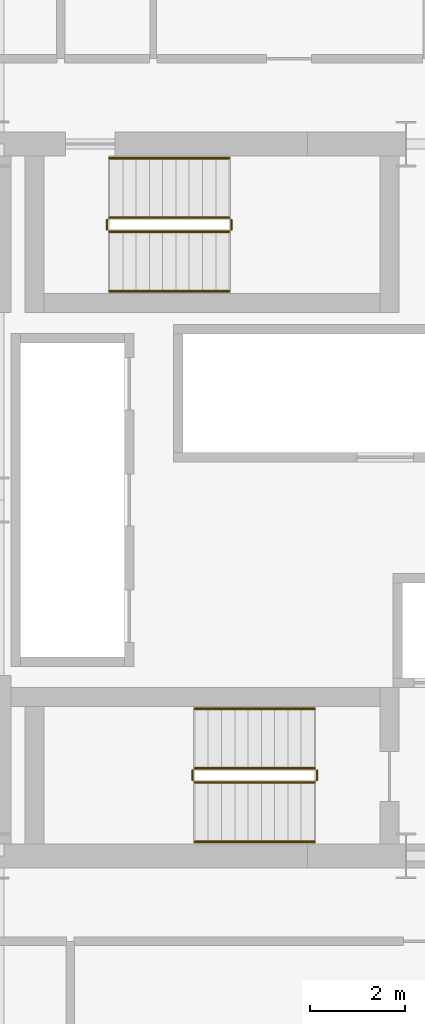
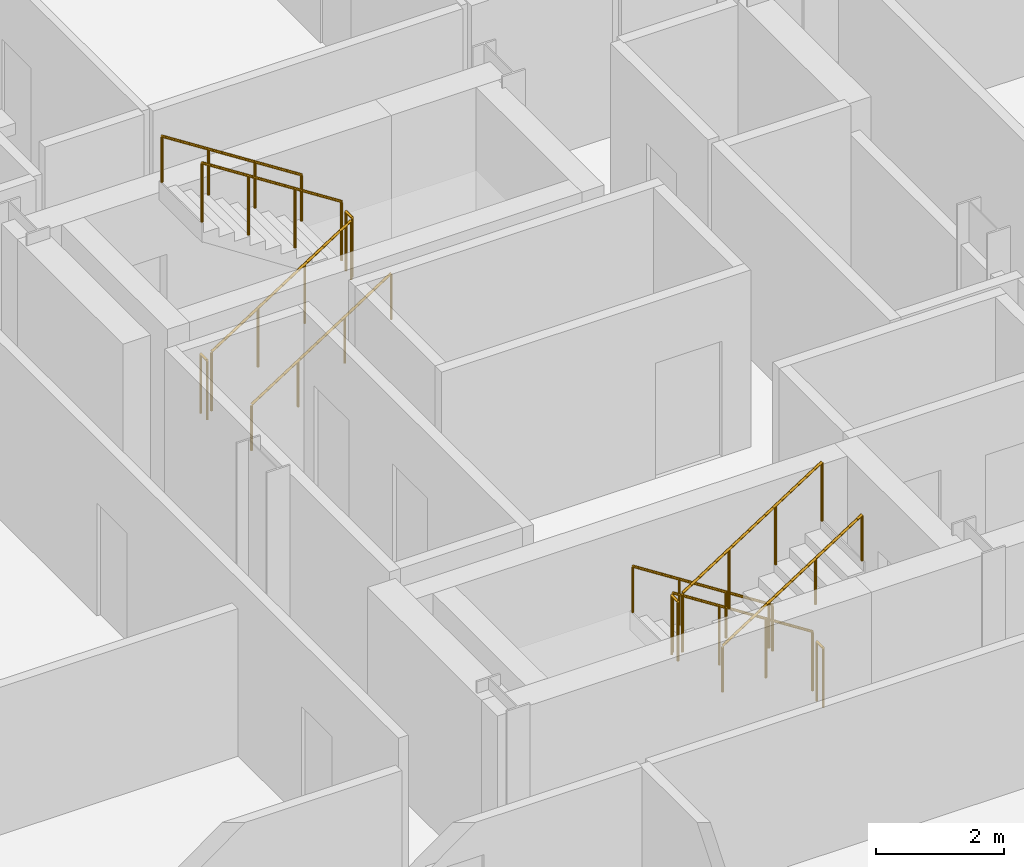
# One storey, part 18 of 19: 12 railings.
"""IFC4 building model written with IfcOpenShell, lengths in metres."""

from ifc_helpers import new_model, si_unit, direction, frame, origin, origin_2d, place, context, subcontext, project, spatial, circle, extrude, material, type_object, element, save


model = new_model("IFC4")

# Units and contexts
model_context = context("Model", 3, precision=1e-05, world=origin(), true_north=direction((0.0, 1.0)))
body_context = subcontext(model_context, "Body", "Model", "MODEL_VIEW")
ifc_project = project(units=[si_unit("LENGTHUNIT", "METRE"), si_unit("AREAUNIT", "SQUARE_METRE"), si_unit("VOLUMEUNIT", "CUBIC_METRE"), si_unit("PLANEANGLEUNIT", "RADIAN"), si_unit("MASSUNIT", "GRAM", prefix="KILO")], contexts=[model_context])

# Site, building, storey
site_placement = place(None, origin())
site = spatial("IfcSite", under=ifc_project, at=site_placement, CompositionType="ELEMENT")
building_placement = place(site_placement, origin())
building = spatial("IfcBuilding", under=site, at=building_placement, Name="Barlavira Tower and Art Museum", CompositionType="ELEMENT")
storey_placement = place(building_placement, frame((0.0, 0.0, 113.39990234375)))
storey = spatial("IfcBuildingStorey", under=building, at=storey_placement, Name="L28", CompositionType="ELEMENT", Elevation=113.39990234375)

# Railings
ifc_material = material(Name="Brushed stainless steel", Category="steel")
railing_type_1 = type_object("IfcRailingType", Name="Interior Void and Landing Guard Railing 1150", PredefinedType="GUARDRAIL", material=ifc_material)
railing_1_placement = place(storey_placement, frame((0.14990234375, -5.64990234375, 0.18017578125)))
element("IfcRailing", 1, at=railing_1_placement, inside=storey, type_object=railing_type_1, Name="L28 ST-T1 stair guard 1", PredefinedType="GUARDRAIL", context=body_context, shape_type="SweptSolid", body=[
    extrude(circle(Radius=0.02392578125, at=origin_2d()), frame((0.0, 0.0, 1.1259765625), z_axis=(-0.841199657755, 0.0, 0.540724639528), x_axis=(0.0, -1.0, 0.0)), (0.0, 0.0, 1.0), 2.995849609375),
    extrude(circle(Radius=0.02099609375, at=origin_2d()), origin(), (0.0, 0.0, 1.0), 1.101806640625),
    extrude(circle(Radius=0.02099609375, at=origin_2d()), frame((-0.840087890625, 0.0, 0.5400390625)), (0.0, 0.0, 1.0), 1.101806640625),
    extrude(circle(Radius=0.02099609375, at=origin_2d()), frame((-1.679931640625, 0.0, 1.079833984375)), (0.0, 0.0, 1.0), 1.101806640625),
    extrude(circle(Radius=0.02099609375, at=origin_2d()), frame((-2.52001953125, 0.0, 1.619873046875)), (0.0, 0.0, 1.0), 1.101806640625),
])
railing_2_placement = place(storey_placement, frame((-2.419921875, -5.699951171875, 1.800048828125)))
element("IfcRailing", 2, at=railing_2_placement, inside=storey, type_object=railing_type_1, Name="L28 ST-T1 stair guard 2", PredefinedType="GUARDRAIL", context=body_context, shape_type="SweptSolid", body=[
    extrude(circle(Radius=0.02392578125, at=origin_2d()), frame((0.0, 0.0, 1.1259765625), z_axis=(0.0, -1.0, 0.0), x_axis=(1.0, 0.0, 0.0)), (0.0, 0.0, 1.0), 0.199951171875),
    extrude(circle(Radius=0.02099609375, at=origin_2d()), origin(), (0.0, 0.0, 1.0), 1.101806640625),
    extrude(circle(Radius=0.02099609375, at=origin_2d()), frame((0.0, -0.199951171875, 0.0)), (0.0, 0.0, 1.0), 1.101806640625),
])
railing_3_placement = place(storey_placement, frame((-2.3701171875, -5.949951171875, 1.97998046875)))
element("IfcRailing", 3, at=railing_3_placement, inside=storey, type_object=railing_type_1, Name="L28 ST-T1 stair guard 3", PredefinedType="GUARDRAIL", context=body_context, shape_type="SweptSolid", body=[
    extrude(circle(Radius=0.02392578125, at=origin_2d()), frame((0.0, 0.0, 1.1259765625), z_axis=(0.841162588446, 0.0, 0.540782303519), x_axis=(0.0, 1.0, 0.0)), (0.0, 0.0, 1.0), 2.995849609375),
    extrude(circle(Radius=0.02099609375, at=origin_2d()), origin(), (0.0, 0.0, 1.0), 1.101806640625),
    extrude(circle(Radius=0.02099609375, at=origin_2d()), frame((0.840087890625, 0.0, 0.5400390625)), (0.0, 0.0, 1.0), 1.101806640625),
    extrude(circle(Radius=0.02099609375, at=origin_2d()), frame((1.679931640625, 0.0, 1.080078125)), (0.0, 0.0, 1.0), 1.101806640625),
    extrude(circle(Radius=0.02099609375, at=origin_2d()), frame((2.52001953125, 0.0, 1.6201171875)), (0.0, 0.0, 1.0), 1.101806640625),
])
railing_4_placement = place(storey_placement, frame((0.199951171875, -5.699951171875, 0.0)))
element("IfcRailing", 4, at=railing_4_placement, inside=storey, type_object=railing_type_1, Name="L28 ST-T1 stair guard 4", PredefinedType="GUARDRAIL", context=body_context, shape_type="SweptSolid", body=[
    extrude(circle(Radius=0.02392578125, at=origin_2d()), frame((0.0, 0.0, 1.1259765625), z_axis=(0.0, -1.0, 0.0), x_axis=(1.0, 0.0, 0.0)), (0.0, 0.0, 1.0), 0.199951171875),
    extrude(circle(Radius=0.02099609375, at=origin_2d()), origin(), (0.0, 0.0, 1.0), 1.101806640625),
    extrude(circle(Radius=0.02099609375, at=origin_2d()), frame((0.0, -0.199951171875, 0.0)), (0.0, 0.0, 1.0), 1.101806640625),
])
railing_5_placement = place(storey_placement, frame((-4.169921875, 5.64990234375, 0.18017578125)))
element("IfcRailing", 5, at=railing_5_placement, inside=storey, type_object=railing_type_1, Name="L28 ST-T2 stair guard 1", PredefinedType="GUARDRAIL", context=body_context, shape_type="SweptSolid", body=[
    extrude(circle(Radius=0.02392578125, at=origin_2d()), frame((0.0, 0.0, 1.1259765625), z_axis=(0.841199657755, 0.0, 0.540724639528), x_axis=(0.0, 1.0, 0.0)), (0.0, 0.0, 1.0), 2.995849609375),
    extrude(circle(Radius=0.02099609375, at=origin_2d()), origin(), (0.0, 0.0, 1.0), 1.101806640625),
    extrude(circle(Radius=0.02099609375, at=origin_2d()), frame((0.840087890625, 0.0, 0.5400390625)), (0.0, 0.0, 1.0), 1.101806640625),
    extrude(circle(Radius=0.02099609375, at=origin_2d()), frame((1.679931640625, 0.0, 1.079833984375)), (0.0, 0.0, 1.0), 1.101806640625),
    extrude(circle(Radius=0.02099609375, at=origin_2d()), frame((2.52001953125, 0.0, 1.619873046875)), (0.0, 0.0, 1.0), 1.101806640625),
])
railing_6_placement = place(storey_placement, frame((-1.60009765625, 5.699951171875, 1.800048828125)))
element("IfcRailing", 6, at=railing_6_placement, inside=storey, type_object=railing_type_1, Name="L28 ST-T2 stair guard 2", PredefinedType="GUARDRAIL", context=body_context, shape_type="SweptSolid", body=[
    extrude(circle(Radius=0.02392578125, at=origin_2d()), frame((0.0, 0.0, 1.1259765625), z_axis=(0.0, 1.0, 0.0), x_axis=(-1.0, 0.0, 0.0)), (0.0, 0.0, 1.0), 0.199951171875),
    extrude(circle(Radius=0.02099609375, at=origin_2d()), origin(), (0.0, 0.0, 1.0), 1.101806640625),
    extrude(circle(Radius=0.02099609375, at=origin_2d()), frame((0.0, 0.199951171875, 0.0)), (0.0, 0.0, 1.0), 1.101806640625),
])
railing_7_placement = place(storey_placement, frame((-1.64990234375, 5.949951171875, 1.97998046875)))
element("IfcRailing", 7, at=railing_7_placement, inside=storey, type_object=railing_type_1, Name="L28 ST-T2 stair guard 3", PredefinedType="GUARDRAIL", context=body_context, shape_type="SweptSolid", body=[
    extrude(circle(Radius=0.02392578125, at=origin_2d()), frame((0.0, 0.0, 1.1259765625), z_axis=(-0.841162588446, 0.0, 0.540782303519), x_axis=(0.0, -1.0, 0.0)), (0.0, 0.0, 1.0), 2.995849609375),
    extrude(circle(Radius=0.02099609375, at=origin_2d()), origin(), (0.0, 0.0, 1.0), 1.101806640625),
    extrude(circle(Radius=0.02099609375, at=origin_2d()), frame((-0.840087890625, 0.0, 0.5400390625)), (0.0, 0.0, 1.0), 1.101806640625),
    extrude(circle(Radius=0.02099609375, at=origin_2d()), frame((-1.679931640625, 0.0, 1.080078125)), (0.0, 0.0, 1.0), 1.101806640625),
    extrude(circle(Radius=0.02099609375, at=origin_2d()), frame((-2.52001953125, 0.0, 1.6201171875)), (0.0, 0.0, 1.0), 1.101806640625),
])
railing_8_placement = place(storey_placement, frame((-4.219970703125, 5.699951171875, 0.0)))
element("IfcRailing", 8, at=railing_8_placement, inside=storey, type_object=railing_type_1, Name="L28 ST-T2 stair guard 4", PredefinedType="GUARDRAIL", context=body_context, shape_type="SweptSolid", body=[
    extrude(circle(Radius=0.02392578125, at=origin_2d()), frame((0.0, 0.0, 1.1259765625), z_axis=(0.0, 1.0, 0.0), x_axis=(-1.0, 0.0, 0.0)), (0.0, 0.0, 1.0), 0.199951171875),
    extrude(circle(Radius=0.02099609375, at=origin_2d()), origin(), (0.0, 0.0, 1.0), 1.101806640625),
    extrude(circle(Radius=0.02099609375, at=origin_2d()), frame((0.0, 0.199951171875, 0.0)), (0.0, 0.0, 1.0), 1.101806640625),
])
railing_type_2 = type_object("IfcRailingType", Name="Stair Pitch Tubular Steel Handrail 920", PredefinedType="HANDRAIL", material=ifc_material)
railing_9_placement = place(storey_placement, frame((0.14990234375, -4.39990234375, 0.18017578125)))
element("IfcRailing", 9, at=railing_9_placement, inside=storey, type_object=railing_type_2, Name="L28 ST-T1 stair handrail 1", PredefinedType="HANDRAIL", context=body_context, shape_type="SweptSolid", body=[
    extrude(circle(Radius=0.02392578125, at=origin_2d()), frame((0.0, 0.0, 0.8759765625), z_axis=(-0.841199657755, 0.0, 0.540724639528), x_axis=(0.0, -1.0, 0.0)), (0.0, 0.0, 1.0), 2.995849609375),
    extrude(circle(Radius=0.02099609375, at=origin_2d()), origin(), (0.0, 0.0, 1.0), 0.851806640625),
    extrude(circle(Radius=0.02099609375, at=origin_2d()), frame((-0.840087890625, 0.0, 0.5400390625)), (0.0, 0.0, 1.0), 0.851806640625),
    extrude(circle(Radius=0.02099609375, at=origin_2d()), frame((-1.679931640625, 0.0, 1.079833984375)), (0.0, 0.0, 1.0), 0.851806640625),
    extrude(circle(Radius=0.02099609375, at=origin_2d()), frame((-2.52001953125, 0.0, 1.619873046875)), (0.0, 0.0, 1.0), 0.851806640625),
])
railing_10_placement = place(storey_placement, frame((-2.3701171875, -7.199951171875, 1.97998046875)))
element("IfcRailing", 10, at=railing_10_placement, inside=storey, type_object=railing_type_2, Name="L28 ST-T1 stair handrail 2", PredefinedType="HANDRAIL", context=body_context, shape_type="SweptSolid", body=[
    extrude(circle(Radius=0.02392578125, at=origin_2d()), frame((0.0, 0.0, 0.8759765625), z_axis=(0.841162588446, 0.0, 0.540782303519), x_axis=(0.0, 1.0, 0.0)), (0.0, 0.0, 1.0), 2.995849609375),
    extrude(circle(Radius=0.02099609375, at=origin_2d()), origin(), (0.0, 0.0, 1.0), 0.851806640625),
    extrude(circle(Radius=0.02099609375, at=origin_2d()), frame((0.840087890625, 0.0, 0.5400390625)), (0.0, 0.0, 1.0), 0.851806640625),
    extrude(circle(Radius=0.02099609375, at=origin_2d()), frame((1.679931640625, 0.0, 1.080078125)), (0.0, 0.0, 1.0), 0.851806640625),
    extrude(circle(Radius=0.02099609375, at=origin_2d()), frame((2.52001953125, 0.0, 1.6201171875)), (0.0, 0.0, 1.0), 0.851806640625),
])
railing_11_placement = place(storey_placement, frame((-4.169921875, 4.39990234375, 0.18017578125)))
element("IfcRailing", 11, at=railing_11_placement, inside=storey, type_object=railing_type_2, Name="L28 ST-T2 stair handrail 1", PredefinedType="HANDRAIL", context=body_context, shape_type="SweptSolid", body=[
    extrude(circle(Radius=0.02392578125, at=origin_2d()), frame((0.0, 0.0, 0.8759765625), z_axis=(0.841199657755, 0.0, 0.540724639528), x_axis=(0.0, 1.0, 0.0)), (0.0, 0.0, 1.0), 2.995849609375),
    extrude(circle(Radius=0.02099609375, at=origin_2d()), origin(), (0.0, 0.0, 1.0), 0.851806640625),
    extrude(circle(Radius=0.02099609375, at=origin_2d()), frame((0.840087890625, 0.0, 0.5400390625)), (0.0, 0.0, 1.0), 0.851806640625),
    extrude(circle(Radius=0.02099609375, at=origin_2d()), frame((1.679931640625, 0.0, 1.079833984375)), (0.0, 0.0, 1.0), 0.851806640625),
    extrude(circle(Radius=0.02099609375, at=origin_2d()), frame((2.52001953125, 0.0, 1.619873046875)), (0.0, 0.0, 1.0), 0.851806640625),
])
railing_12_placement = place(storey_placement, frame((-1.64990234375, 7.199951171875, 1.97998046875)))
element("IfcRailing", 12, at=railing_12_placement, inside=storey, type_object=railing_type_2, Name="L28 ST-T2 stair handrail 2", PredefinedType="HANDRAIL", context=body_context, shape_type="SweptSolid", body=[
    extrude(circle(Radius=0.02392578125, at=origin_2d()), frame((0.0, 0.0, 0.8759765625), z_axis=(-0.841162588446, 0.0, 0.540782303519), x_axis=(0.0, -1.0, 0.0)), (0.0, 0.0, 1.0), 2.995849609375),
    extrude(circle(Radius=0.02099609375, at=origin_2d()), origin(), (0.0, 0.0, 1.0), 0.851806640625),
    extrude(circle(Radius=0.02099609375, at=origin_2d()), frame((-0.840087890625, 0.0, 0.5400390625)), (0.0, 0.0, 1.0), 0.851806640625),
    extrude(circle(Radius=0.02099609375, at=origin_2d()), frame((-1.679931640625, 0.0, 1.080078125)), (0.0, 0.0, 1.0), 0.851806640625),
    extrude(circle(Radius=0.02099609375, at=origin_2d()), frame((-2.52001953125, 0.0, 1.6201171875)), (0.0, 0.0, 1.0), 0.851806640625),
])

save(model, "model.ifc")
